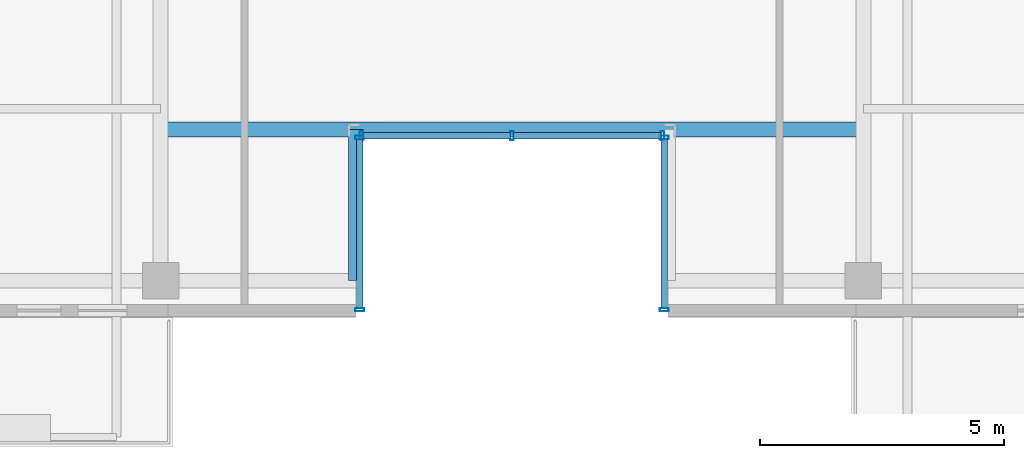
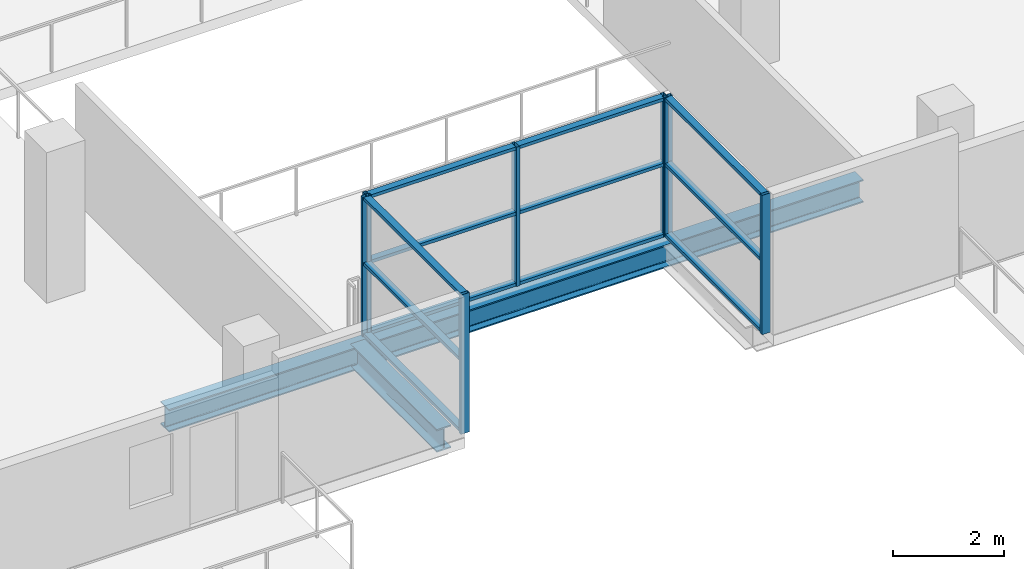
# One storey, part 2 of 21: 19 members, 2 beams, 3 elements without a shape of their own.
"""IFC4 building model written with IfcOpenShell, lengths in metres."""

from ifc_helpers import new_model, si_unit, direction, frame, origin, origin_2d, place, context, subcontext, project, spatial, hollow_rectangle, i_section, extrude, source, transform, mapped, material, layer, layer_set, material_profile, profile_set, type_object, element, aggregate, save


model = new_model("IFC4")

# Units and contexts
model_context = context("Model", 3, precision=1e-05, world=origin(), true_north=direction((0.0, 1.0)))
body_context = subcontext(model_context, "Body", "Model", "MODEL_VIEW")
ifc_project = project(units=[si_unit("LENGTHUNIT", "METRE"), si_unit("AREAUNIT", "SQUARE_METRE"), si_unit("VOLUMEUNIT", "CUBIC_METRE"), si_unit("PLANEANGLEUNIT", "RADIAN"), si_unit("MASSUNIT", "GRAM", prefix="KILO")], contexts=[model_context])

# Site, building, storey
site_placement = place(None, origin())
site = spatial("IfcSite", under=ifc_project, at=site_placement, CompositionType="ELEMENT")
building_placement = place(site_placement, origin())
building = spatial("IfcBuilding", under=site, at=building_placement, Name="Zarnakvel Exchange Tower", CompositionType="ELEMENT")
storey_placement = place(building_placement, frame((0.0, 0.0, 166.0)))
storey = spatial("IfcBuildingStorey", under=building, at=storey_placement, Name="L46", CompositionType="ELEMENT", Elevation=166.0)

# Beams
ifc_material_1 = material(Name="Steel S355", Category="steel")
ifc_material_profile_1 = material_profile(ifc_material_1, i_section(OverallWidth=0.300048828125, OverallDepth=0.5, WebThickness=0.014404296875, FlangeThickness=0.028076171875, FilletRadius=0.027099609375, at=origin_2d()))
ifc_profile_set_1 = profile_set([ifc_material_profile_1], Name="Steel S355")
beam_type_1 = type_object("IfcBeamType", Name="G-06", PredefinedType="BEAM", material=ifc_profile_set_1)
beam_1_placement = place(storey_placement, frame((-3.199951171875, -16.64990234375, -0.47509765625), z_axis=(0.0, 1.0, 0.0), x_axis=(-1.0, 0.0, 0.0)))
element("IfcBeam", 1, at=beam_1_placement, inside=storey, type_object=beam_type_1, Name="L46 South Slot West Cheek Beam", PredefinedType="BEAM", context=body_context, shape_type="SweptSolid", body=[
    extrude(i_section(OverallWidth=0.300048828125, OverallDepth=0.5, WebThickness=0.014404296875, FlangeThickness=0.028076171875, FilletRadius=0.027099609375, at=origin_2d()), origin(), (0.0, 0.0, 1.0), 3.099853515625),
])
ifc_material_profile_2 = material_profile(ifc_material_1, i_section(OverallWidth=0.300048828125, OverallDepth=0.5, WebThickness=0.014404296875, FlangeThickness=0.028076171875, FilletRadius=0.027099609375, at=origin_2d()))
ifc_profile_set_2 = profile_set([ifc_material_profile_2], Name="Steel S355")
beam_type_2 = type_object("IfcBeamType", Name="SP-02", PredefinedType="SPANDREL", material=ifc_profile_set_2)
beam_2_placement = place(storey_placement, frame((-7.199951171875, -13.550048828125, -0.47509765625), z_axis=(1.0, 0.0, 0.0), x_axis=(0.0, 1.0, 0.0)))
element("IfcBeam", 2, at=beam_2_placement, inside=storey, type_object=beam_type_2, Name="L46 South Slot Head Trimmer Girder", PredefinedType="SPANDREL", context=body_context, shape_type="SweptSolid", body=[
    extrude(i_section(OverallWidth=0.300048828125, OverallDepth=0.5, WebThickness=0.014404296875, FlangeThickness=0.028076171875, FilletRadius=0.027099609375, at=origin_2d()), origin(), (0.0, 0.0, 1.0), 14.39990234375),
])

# Curtain wall, members
ifc_material_2 = material(Name="Architectural Bronze Anodised Aluminium", Category="aluminium")
ifc_layer = layer(ifc_material_2, 0.179931640625)
ifc_layer_set = layer_set([ifc_layer], Name="Architectural Bronze Anodised Aluminium")
curtain_wall_type = type_object("IfcCurtainWallType", Name="CW-05", PredefinedType="NOTDEFINED", material=ifc_layer_set)
curtain_wall_1_placement = place(storey_placement, origin())
curtain_wall_1 = element("IfcCurtainWall", 3, at=curtain_wall_1_placement, inside=storey, type_object=curtain_wall_type, Name="L46 Curtain Wall CW-L46-SLW (CW-05)", PredefinedType="NOTDEFINED")
ifc_material_profile_3 = material_profile(ifc_material_2, hollow_rectangle(XDim=0.139892578125, YDim=0.070068359375, WallThickness=0.00390625, at=origin_2d()))
ifc_profile_set_3 = profile_set([ifc_material_profile_3], Name="Architectural Bronze Anodised Aluminium")
member_type_1 = type_object("IfcMemberType", Name="CWT-05", PredefinedType="USERDEFINED", material=ifc_profile_set_3)
shared_shape_1 = source(origin(), body_context, "Body", "SweptSolid", [
    extrude(hollow_rectangle(XDim=0.139892578125, YDim=0.070068359375, WallThickness=0.00390625, at=origin_2d()), origin(), (0.0, 0.0, 1.0), 3.4599609375),
])
member_1_placement = place(storey_placement, frame((-3.1201171875, -17.2099609375, 0.034912109375), z_axis=(0.0, 1.0, 0.0), x_axis=(-1.0, 0.0, 0.0)))
member_1 = element("IfcMember", 4, at=member_1_placement, type_object=member_type_1, Name="CW-05 transom 1.1", ObjectType="TRANSOM", PredefinedType="USERDEFINED", context=body_context, shape_type="MappedRepresentation", body=[
    mapped(shared_shape_1, transform((0.0, 0.0, 0.0), x_axis=(1.0, 0.0, 0.0), y_axis=(0.0, 1.0, 0.0), z_axis=(0.0, 0.0, 1.0), scale=1.0)),
])
member_2_placement = place(storey_placement, frame((-3.1201171875, -17.2099609375, 1.588623046875), z_axis=(0.0, 1.0, 0.0), x_axis=(-1.0, 0.0, 0.0)))
member_2 = element("IfcMember", 5, at=member_2_placement, type_object=member_type_1, Name="CW-05 transom 1.2", ObjectType="TRANSOM", PredefinedType="USERDEFINED", context=body_context, shape_type="MappedRepresentation", body=[
    mapped(shared_shape_1, transform((0.0, 0.0, 0.0), x_axis=(1.0, 0.0, 0.0), y_axis=(0.0, 1.0, 0.0), z_axis=(0.0, 0.0, 1.0), scale=1.0)),
])
member_3_placement = place(storey_placement, frame((-3.1201171875, -17.2099609375, 3.02001953125), z_axis=(0.0, 1.0, 0.0), x_axis=(-1.0, 0.0, 0.0)))
member_3 = element("IfcMember", 6, at=member_3_placement, type_object=member_type_1, Name="CW-05 transom 1.3", ObjectType="TRANSOM", PredefinedType="USERDEFINED", context=body_context, shape_type="MappedRepresentation", body=[
    mapped(shared_shape_1, transform((0.0, 0.0, 0.0), x_axis=(1.0, 0.0, 0.0), y_axis=(0.0, 1.0, 0.0), z_axis=(0.0, 0.0, 1.0), scale=1.0)),
])

curtain_wall_2_placement = place(storey_placement, origin())
curtain_wall_2 = element("IfcCurtainWall", 7, at=curtain_wall_2_placement, inside=storey, type_object=curtain_wall_type, Name="L46 Curtain Wall CW-L46-SLE (CW-05)", PredefinedType="NOTDEFINED")
member_4_placement = place(storey_placement, frame((3.1201171875, -13.75, 0.034912109375), z_axis=(0.0, -1.0, 0.0), x_axis=(1.0, 0.0, 0.0)))
member_4 = element("IfcMember", 8, at=member_4_placement, type_object=member_type_1, Name="CW-05 transom 1.1", ObjectType="TRANSOM", PredefinedType="USERDEFINED", context=body_context, shape_type="MappedRepresentation", body=[
    mapped(shared_shape_1, transform((0.0, 0.0, 0.0), x_axis=(1.0, 0.0, 0.0), y_axis=(0.0, 1.0, 0.0), z_axis=(0.0, 0.0, 1.0), scale=1.0)),
])
member_5_placement = place(storey_placement, frame((3.1201171875, -13.75, 1.588623046875), z_axis=(0.0, -1.0, 0.0), x_axis=(1.0, 0.0, 0.0)))
member_5 = element("IfcMember", 9, at=member_5_placement, type_object=member_type_1, Name="CW-05 transom 1.2", ObjectType="TRANSOM", PredefinedType="USERDEFINED", context=body_context, shape_type="MappedRepresentation", body=[
    mapped(shared_shape_1, transform((0.0, 0.0, 0.0), x_axis=(1.0, 0.0, 0.0), y_axis=(0.0, 1.0, 0.0), z_axis=(0.0, 0.0, 1.0), scale=1.0)),
])
member_6_placement = place(storey_placement, frame((3.1201171875, -13.75, 3.02001953125), z_axis=(0.0, -1.0, 0.0), x_axis=(1.0, 0.0, 0.0)))
member_6 = element("IfcMember", 10, at=member_6_placement, type_object=member_type_1, Name="CW-05 transom 1.3", ObjectType="TRANSOM", PredefinedType="USERDEFINED", context=body_context, shape_type="MappedRepresentation", body=[
    mapped(shared_shape_1, transform((0.0, 0.0, 0.0), x_axis=(1.0, 0.0, 0.0), y_axis=(0.0, 1.0, 0.0), z_axis=(0.0, 0.0, 1.0), scale=1.0)),
])

curtain_wall_3_placement = place(storey_placement, origin())
curtain_wall_3 = element("IfcCurtainWall", 11, at=curtain_wall_3_placement, inside=storey, type_object=curtain_wall_type, Name="L46 Curtain Wall CW-L46-SLB (CW-05)", PredefinedType="NOTDEFINED")
shared_shape_2 = source(origin(), body_context, "Body", "SweptSolid", [
    extrude(hollow_rectangle(XDim=0.139892578125, YDim=0.070068359375, WallThickness=0.00390625, at=origin_2d()), origin(), (0.0, 0.0, 1.0), 3.01513671875),
])
member_7_placement = place(storey_placement, frame((-3.050048828125, -13.679931640625, 0.034912109375), z_axis=(1.0, 0.0, 0.0), x_axis=(0.0, 1.0, 0.0)))
member_7 = element("IfcMember", 12, at=member_7_placement, type_object=member_type_1, Name="CW-05 transom 1.1", ObjectType="TRANSOM", PredefinedType="USERDEFINED", context=body_context, shape_type="MappedRepresentation", body=[
    mapped(shared_shape_2, transform((0.0, 0.0, 0.0), x_axis=(1.0, 0.0, 0.0), y_axis=(0.0, 1.0, 0.0), z_axis=(0.0, 0.0, 1.0), scale=1.0)),
])
member_8_placement = place(storey_placement, frame((-3.050048828125, -13.679931640625, 1.588623046875), z_axis=(1.0, 0.0, 0.0), x_axis=(0.0, 1.0, 0.0)))
member_8 = element("IfcMember", 13, at=member_8_placement, type_object=member_type_1, Name="CW-05 transom 1.2", ObjectType="TRANSOM", PredefinedType="USERDEFINED", context=body_context, shape_type="MappedRepresentation", body=[
    mapped(shared_shape_2, transform((0.0, 0.0, 0.0), x_axis=(1.0, 0.0, 0.0), y_axis=(0.0, 1.0, 0.0), z_axis=(0.0, 0.0, 1.0), scale=1.0)),
])
member_9_placement = place(storey_placement, frame((-3.050048828125, -13.679931640625, 3.02001953125), z_axis=(1.0, 0.0, 0.0), x_axis=(0.0, 1.0, 0.0)))
member_9 = element("IfcMember", 14, at=member_9_placement, type_object=member_type_1, Name="CW-05 transom 1.3", ObjectType="TRANSOM", PredefinedType="USERDEFINED", context=body_context, shape_type="MappedRepresentation", body=[
    mapped(shared_shape_2, transform((0.0, 0.0, 0.0), x_axis=(1.0, 0.0, 0.0), y_axis=(0.0, 1.0, 0.0), z_axis=(0.0, 0.0, 1.0), scale=1.0)),
])
member_10_placement = place(storey_placement, frame((0.034912109375, -13.679931640625, 0.034912109375), z_axis=(1.0, 0.0, 0.0), x_axis=(0.0, 1.0, 0.0)))
member_10 = element("IfcMember", 15, at=member_10_placement, type_object=member_type_1, Name="CW-05 transom 2.1", ObjectType="TRANSOM", PredefinedType="USERDEFINED", context=body_context, shape_type="MappedRepresentation", body=[
    mapped(shared_shape_2, transform((0.0, 0.0, 0.0), x_axis=(1.0, 0.0, 0.0), y_axis=(0.0, 1.0, 0.0), z_axis=(0.0, 0.0, 1.0), scale=1.0)),
])
member_11_placement = place(storey_placement, frame((0.034912109375, -13.679931640625, 1.588623046875), z_axis=(1.0, 0.0, 0.0), x_axis=(0.0, 1.0, 0.0)))
member_11 = element("IfcMember", 16, at=member_11_placement, type_object=member_type_1, Name="CW-05 transom 2.2", ObjectType="TRANSOM", PredefinedType="USERDEFINED", context=body_context, shape_type="MappedRepresentation", body=[
    mapped(shared_shape_2, transform((0.0, 0.0, 0.0), x_axis=(1.0, 0.0, 0.0), y_axis=(0.0, 1.0, 0.0), z_axis=(0.0, 0.0, 1.0), scale=1.0)),
])
member_12_placement = place(storey_placement, frame((0.034912109375, -13.679931640625, 3.02001953125), z_axis=(1.0, 0.0, 0.0), x_axis=(0.0, 1.0, 0.0)))
member_12 = element("IfcMember", 17, at=member_12_placement, type_object=member_type_1, Name="CW-05 transom 2.3", ObjectType="TRANSOM", PredefinedType="USERDEFINED", context=body_context, shape_type="MappedRepresentation", body=[
    mapped(shared_shape_2, transform((0.0, 0.0, 0.0), x_axis=(1.0, 0.0, 0.0), y_axis=(0.0, 1.0, 0.0), z_axis=(0.0, 0.0, 1.0), scale=1.0)),
])

# Member
ifc_material_profile_4 = material_profile(ifc_material_2, hollow_rectangle(XDim=0.179931640625, YDim=0.070068359375, WallThickness=0.00390625, at=origin_2d()))
ifc_profile_set_4 = profile_set([ifc_material_profile_4], Name="Architectural Bronze Anodised Aluminium")
member_type_2 = type_object("IfcMemberType", Name="CWM-05", PredefinedType="MULLION", material=ifc_profile_set_4)
shared_shape_3 = source(origin(), body_context, "Body", "SweptSolid", [
    extrude(hollow_rectangle(XDim=0.179931640625, YDim=0.070068359375, WallThickness=0.00390625, at=origin_2d()), origin(), (0.0, 0.0, 1.0), 3.054931640625),
])
member_13_placement = place(storey_placement, frame((-3.1201171875, -17.2451171875, 0.0), z_axis=(0.0, 0.0, 1.0), x_axis=(-1.0, 0.0, 0.0)))
member_13 = element("IfcMember", 18, at=member_13_placement, type_object=member_type_2, Name="CW-05 mullion 1", PredefinedType="MULLION", context=body_context, shape_type="MappedRepresentation", body=[
    mapped(shared_shape_3, transform((0.0, 0.0, 0.0), x_axis=(1.0, 0.0, 0.0), y_axis=(0.0, 1.0, 0.0), z_axis=(0.0, 0.0, 1.0), scale=1.0)),
])

member_14_placement = place(storey_placement, frame((-3.1201171875, -13.715087890625, 0.0), z_axis=(0.0, 0.0, 1.0), x_axis=(-1.0, 0.0, 0.0)))
member_14 = element("IfcMember", 19, at=member_14_placement, type_object=member_type_2, Name="CW-05 mullion 2", PredefinedType="MULLION", context=body_context, shape_type="MappedRepresentation", body=[
    mapped(shared_shape_3, transform((0.0, 0.0, 0.0), x_axis=(1.0, 0.0, 0.0), y_axis=(0.0, 1.0, 0.0), z_axis=(0.0, 0.0, 1.0), scale=1.0)),
])

aggregate(curtain_wall_1, [member_13, member_14, member_1, member_2, member_3])

member_15_placement = place(storey_placement, frame((-3.0849609375, -13.679931640625, 0.0), z_axis=(0.0, 0.0, 1.0), x_axis=(0.0, 1.0, 0.0)))
member_15 = element("IfcMember", 20, at=member_15_placement, type_object=member_type_2, Name="CW-05 mullion 1", PredefinedType="MULLION", context=body_context, shape_type="MappedRepresentation", body=[
    mapped(shared_shape_3, transform((0.0, 0.0, 0.0), x_axis=(1.0, 0.0, 0.0), y_axis=(0.0, 1.0, 0.0), z_axis=(0.0, 0.0, 1.0), scale=1.0)),
])

member_16_placement = place(storey_placement, frame((0.0, -13.679931640625, 0.0), z_axis=(0.0, 0.0, 1.0), x_axis=(0.0, 1.0, 0.0)))
member_16 = element("IfcMember", 21, at=member_16_placement, type_object=member_type_2, Name="CW-05 mullion 2", PredefinedType="MULLION", context=body_context, shape_type="MappedRepresentation", body=[
    mapped(shared_shape_3, transform((0.0, 0.0, 0.0), x_axis=(1.0, 0.0, 0.0), y_axis=(0.0, 1.0, 0.0), z_axis=(0.0, 0.0, 1.0), scale=1.0)),
])

member_17_placement = place(storey_placement, frame((3.0849609375, -13.679931640625, 0.0), z_axis=(0.0, 0.0, 1.0), x_axis=(0.0, 1.0, 0.0)))
member_17 = element("IfcMember", 22, at=member_17_placement, type_object=member_type_2, Name="CW-05 mullion 3", PredefinedType="MULLION", context=body_context, shape_type="MappedRepresentation", body=[
    mapped(shared_shape_3, transform((0.0, 0.0, 0.0), x_axis=(1.0, 0.0, 0.0), y_axis=(0.0, 1.0, 0.0), z_axis=(0.0, 0.0, 1.0), scale=1.0)),
])

aggregate(curtain_wall_3, [member_15, member_16, member_17, member_7, member_8, member_9, member_10, member_11, member_12])

member_18_placement = place(storey_placement, frame((3.1201171875, -13.715087890625, 0.0), z_axis=(0.0, 0.0, 1.0), x_axis=(1.0, 0.0, 0.0)))
member_18 = element("IfcMember", 23, at=member_18_placement, type_object=member_type_2, Name="CW-05 mullion 1", PredefinedType="MULLION", context=body_context, shape_type="MappedRepresentation", body=[
    mapped(shared_shape_3, transform((0.0, 0.0, 0.0), x_axis=(1.0, 0.0, 0.0), y_axis=(0.0, 1.0, 0.0), z_axis=(0.0, 0.0, 1.0), scale=1.0)),
])

member_19_placement = place(storey_placement, frame((3.1201171875, -17.2451171875, 0.0), z_axis=(0.0, 0.0, 1.0), x_axis=(1.0, 0.0, 0.0)))
member_19 = element("IfcMember", 24, at=member_19_placement, type_object=member_type_2, Name="CW-05 mullion 2", PredefinedType="MULLION", context=body_context, shape_type="MappedRepresentation", body=[
    mapped(shared_shape_3, transform((0.0, 0.0, 0.0), x_axis=(1.0, 0.0, 0.0), y_axis=(0.0, 1.0, 0.0), z_axis=(0.0, 0.0, 1.0), scale=1.0)),
])

aggregate(curtain_wall_2, [member_18, member_19, member_4, member_5, member_6])

save(model, "model.ifc")
